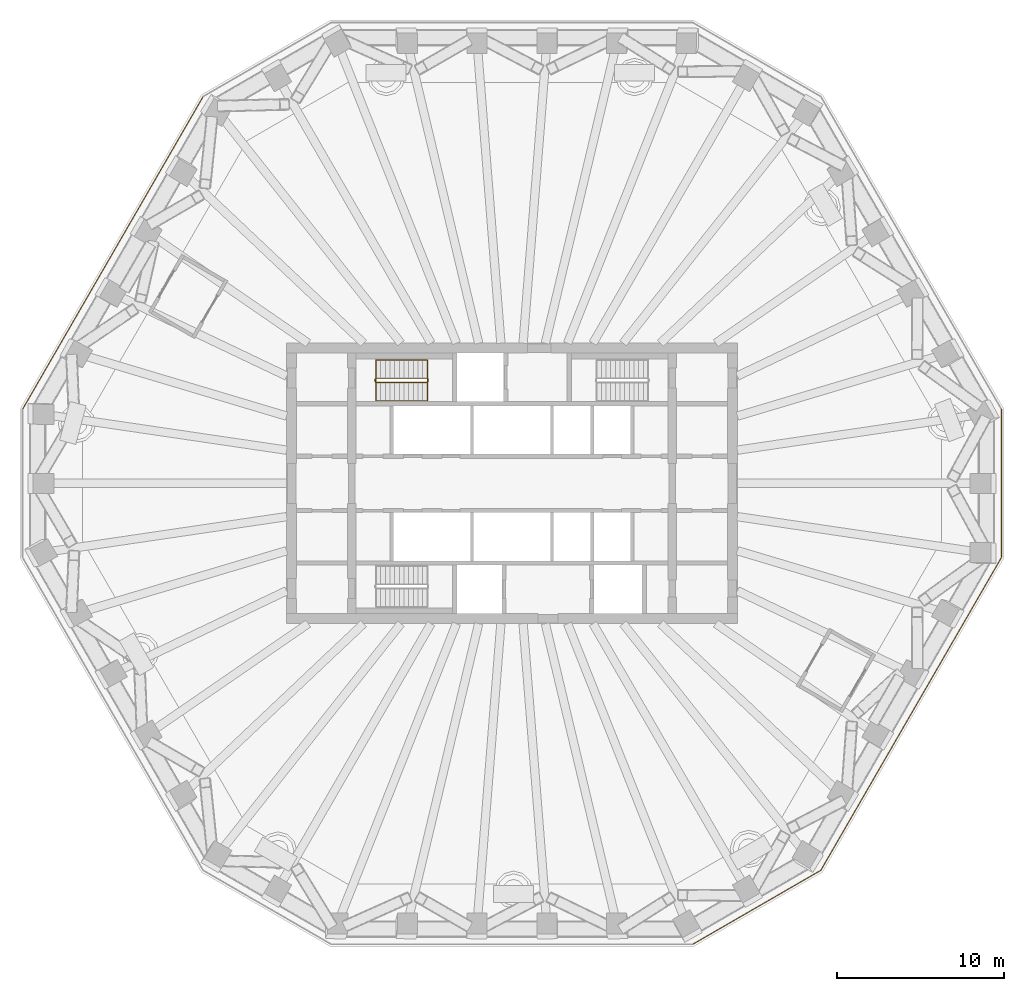
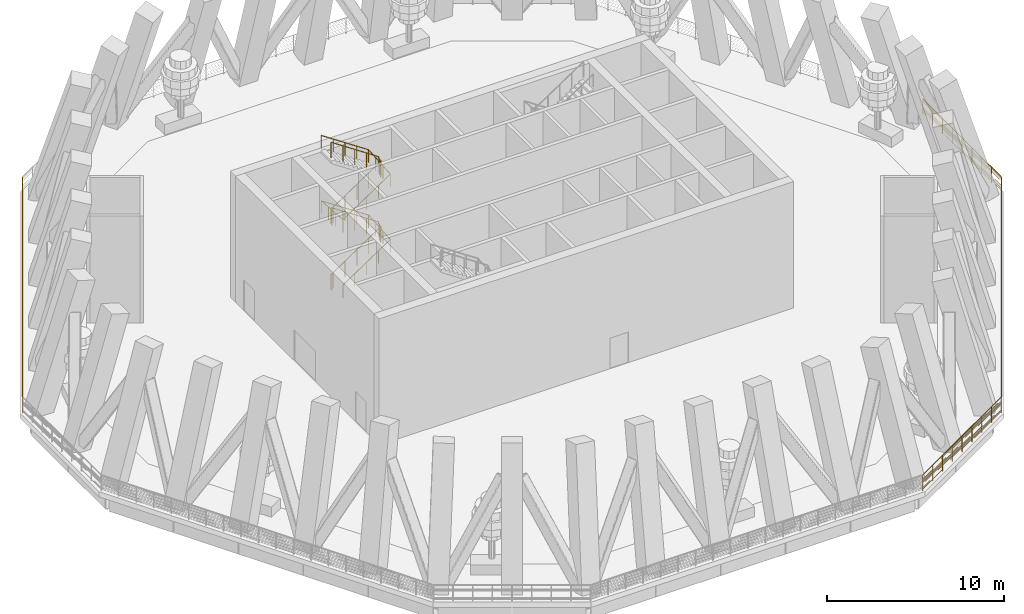
# One storey, part 8 of 11: 6 railings.
"""IFC4 building model written with IfcOpenShell, lengths in metres."""

from ifc_helpers import new_model, si_unit, direction, frame, origin, origin_2d, place, context, subcontext, project, spatial, circle, extrude, material, type_object, element, save


model = new_model("IFC4")

# Units and contexts
model_context = context("Model", 3, precision=1e-05, world=origin(), true_north=direction((0.0, 1.0)))
body_context = subcontext(model_context, "Body", "Model", "MODEL_VIEW")
ifc_project = project(units=[si_unit("LENGTHUNIT", "METRE"), si_unit("AREAUNIT", "SQUARE_METRE"), si_unit("VOLUMEUNIT", "CUBIC_METRE"), si_unit("PLANEANGLEUNIT", "RADIAN"), si_unit("MASSUNIT", "GRAM", prefix="KILO")], contexts=[model_context])

# Site, building, storey
site_placement = place(None, origin())
site = spatial("IfcSite", under=ifc_project, at=site_placement, CompositionType="ELEMENT")
building_placement = place(site_placement, origin())
building = spatial("IfcBuilding", under=site, at=building_placement, Name="Frailejon Research Tower", CompositionType="ELEMENT")
storey_placement = place(building_placement, frame((0.0, 0.0, 202.39990234375)))
storey = spatial("IfcBuildingStorey", under=building, at=storey_placement, Name="L44", CompositionType="ELEMENT", Elevation=202.39990234375)

# Railings
ifc_material_1 = material(Name="Stainless steel", Category="steel")
railing_type_1 = type_object("IfcRailingType", Name="Stair guard 1100", PredefinedType="GUARDRAIL", material=ifc_material_1)
railing_1_placement = place(storey_placement, frame((-8.199951171875, 6.25, 0.0)))
element("IfcRailing", 1, at=railing_1_placement, inside=storey, type_object=railing_type_1, Name="L44 ST1 stair guard 1", PredefinedType="GUARDRAIL", context=body_context, shape_type="SweptSolid", body=[
    extrude(circle(Radius=0.02392578125, at=origin_2d()), frame((0.0, 0.0, 1.076171875), z_axis=(0.0, -1.0, 0.0), x_axis=(1.0, 0.0, 0.0)), (0.0, 0.0, 1.0), 0.14990234375),
    extrude(circle(Radius=0.02392578125, at=origin_2d()), frame((0.0, -0.14990234375, 1.076171875), z_axis=(0.249726431254, -0.249726431254, 0.935560483917), x_axis=(0.707106781187, 0.707106781187, 0.0)), (0.0, 0.0, 1.0), 0.200439453125),
    extrude(circle(Radius=0.02392578125, at=origin_2d()), frame((0.050048828125, -0.199951171875, 1.263671875), z_axis=(0.830893310487, 0.0, 0.556431762742), x_axis=(0.0, 1.0, 0.0)), (0.0, 0.0, 1.0), 3.70654296875),
    extrude(circle(Radius=0.02392578125, at=origin_2d()), frame((3.1298828125, -0.199951171875, 3.326171875), z_axis=(0.707106781187, 0.707106781187, 0.0), x_axis=(-0.707106781187, 0.707106781187, 0.0)), (0.0, 0.0, 1.0), 0.07080078125),
    extrude(circle(Radius=0.02392578125, at=origin_2d()), frame((3.179931640625, -0.14990234375, 3.326171875), z_axis=(0.0, 1.0, 0.0), x_axis=(-1.0, 0.0, 0.0)), (0.0, 0.0, 1.0), 0.14990234375),
    extrude(circle(Radius=0.02392578125, at=origin_2d()), frame((3.179931640625, 0.0, 3.326171875), z_axis=(-0.249726431254, 0.249726431254, 0.935560483917), x_axis=(-0.707106781187, -0.707106781187, 0.0)), (0.0, 0.0, 1.0), 0.200439453125),
    extrude(circle(Radius=0.02392578125, at=origin_2d()), frame((3.1298828125, 0.050048828125, 3.513671875), z_axis=(-0.830893310487, 0.0, 0.556431762742), x_axis=(0.0, -1.0, 0.0)), (0.0, 0.0, 1.0), 3.70654296875),
    extrude(circle(Radius=0.02392578125, at=origin_2d()), frame((0.050048828125, 0.050048828125, 5.576171875), z_axis=(-0.707106781187, -0.707106781187, 0.0), x_axis=(0.707106781187, -0.707106781187, 0.0)), (0.0, 0.0, 1.0), 0.07080078125),
    extrude(circle(Radius=0.02392578125, at=origin_2d()), frame((0.0, 0.0, 5.576171875), z_axis=(0.0, -1.0, 0.0), x_axis=(1.0, 0.0, 0.0)), (0.0, 0.0, 1.0), 0.14990234375),
    extrude(circle(Radius=0.02392578125, at=origin_2d()), frame((0.0, -0.14990234375, 5.576171875), z_axis=(0.249726431254, -0.249726431254, 0.935560483917), x_axis=(0.707106781187, 0.707106781187, 0.0)), (0.0, 0.0, 1.0), 0.200439453125),
    extrude(circle(Radius=0.02392578125, at=origin_2d()), frame((0.050048828125, -0.199951171875, 5.763671875), z_axis=(0.830893310487, 0.0, 0.556431762742), x_axis=(0.0, 1.0, 0.0)), (0.0, 0.0, 1.0), 3.70654296875),
    extrude(circle(Radius=0.02392578125, at=origin_2d()), frame((3.1298828125, -0.199951171875, 7.826171875), z_axis=(0.707106781187, 0.707106781187, 0.0), x_axis=(-0.707106781187, 0.707106781187, 0.0)), (0.0, 0.0, 1.0), 0.07080078125),
    extrude(circle(Radius=0.02392578125, at=origin_2d()), frame((3.179931640625, -0.14990234375, 7.826171875), z_axis=(0.0, 1.0, 0.0), x_axis=(-1.0, 0.0, 0.0)), (0.0, 0.0, 1.0), 0.14990234375),
    extrude(circle(Radius=0.02392578125, at=origin_2d()), frame((3.179931640625, 0.0, 7.826171875), z_axis=(-0.249726431254, 0.249726431254, 0.935560483917), x_axis=(-0.707106781187, -0.707106781187, 0.0)), (0.0, 0.0, 1.0), 0.200439453125),
    extrude(circle(Radius=0.02392578125, at=origin_2d()), frame((3.1298828125, 0.050048828125, 8.013671875), z_axis=(-0.830893310487, 0.0, 0.556431762742), x_axis=(0.0, -1.0, 0.0)), (0.0, 0.0, 1.0), 3.70654296875),
    extrude(circle(Radius=0.02099609375, at=origin_2d()), origin(), (0.0, 0.0, 1.0), 1.052001953125),
    extrude(circle(Radius=0.02099609375, at=origin_2d()), frame((0.0, -0.14990234375, 0.0)), (0.0, 0.0, 1.0), 1.052001953125),
    extrude(circle(Radius=0.02099609375, at=origin_2d()), frame((0.050048828125, -0.199951171875, 0.1875)), (0.0, 0.0, 1.0), 1.052001953125),
    extrude(circle(Radius=0.02099609375, at=origin_2d()), frame((0.820068359375, -0.199951171875, 0.703125)), (0.0, 0.0, 1.0), 1.052001953125),
    extrude(circle(Radius=0.02099609375, at=origin_2d()), frame((1.58984375, -0.199951171875, 1.21875)), (0.0, 0.0, 1.0), 1.052001953125),
    extrude(circle(Radius=0.02099609375, at=origin_2d()), frame((2.35986328125, -0.199951171875, 1.734375)), (0.0, 0.0, 1.0), 1.052001953125),
    extrude(circle(Radius=0.02099609375, at=origin_2d()), frame((3.1298828125, -0.199951171875, 2.25)), (0.0, 0.0, 1.0), 1.052001953125),
    extrude(circle(Radius=0.02099609375, at=origin_2d()), frame((3.179931640625, -0.14990234375, 2.25)), (0.0, 0.0, 1.0), 1.052001953125),
    extrude(circle(Radius=0.02099609375, at=origin_2d()), frame((3.179931640625, 0.0, 2.25)), (0.0, 0.0, 1.0), 1.052001953125),
    extrude(circle(Radius=0.02099609375, at=origin_2d()), frame((3.1298828125, 0.050048828125, 2.4375)), (0.0, 0.0, 1.0), 1.052001953125),
    extrude(circle(Radius=0.02099609375, at=origin_2d()), frame((2.35986328125, 0.050048828125, 2.953125)), (0.0, 0.0, 1.0), 1.052001953125),
    extrude(circle(Radius=0.02099609375, at=origin_2d()), frame((1.58984375, 0.050048828125, 3.46875)), (0.0, 0.0, 1.0), 1.052001953125),
    extrude(circle(Radius=0.02099609375, at=origin_2d()), frame((0.820068359375, 0.050048828125, 3.984375)), (0.0, 0.0, 1.0), 1.052001953125),
    extrude(circle(Radius=0.02099609375, at=origin_2d()), frame((0.050048828125, 0.050048828125, 4.5)), (0.0, 0.0, 1.0), 1.052001953125),
    extrude(circle(Radius=0.02099609375, at=origin_2d()), frame((0.0, 0.0, 4.5)), (0.0, 0.0, 1.0), 1.052001953125),
    extrude(circle(Radius=0.02099609375, at=origin_2d()), frame((0.0, -0.14990234375, 4.5)), (0.0, 0.0, 1.0), 1.052001953125),
    extrude(circle(Radius=0.02099609375, at=origin_2d()), frame((0.050048828125, -0.199951171875, 4.6875)), (0.0, 0.0, 1.0), 1.052001953125),
    extrude(circle(Radius=0.02099609375, at=origin_2d()), frame((0.820068359375, -0.199951171875, 5.203125)), (0.0, 0.0, 1.0), 1.052001953125),
    extrude(circle(Radius=0.02099609375, at=origin_2d()), frame((1.58984375, -0.199951171875, 5.71875)), (0.0, 0.0, 1.0), 1.052001953125),
    extrude(circle(Radius=0.02099609375, at=origin_2d()), frame((2.35986328125, -0.199951171875, 6.234375)), (0.0, 0.0, 1.0), 1.052001953125),
    extrude(circle(Radius=0.02099609375, at=origin_2d()), frame((3.1298828125, -0.199951171875, 6.75)), (0.0, 0.0, 1.0), 1.052001953125),
    extrude(circle(Radius=0.02099609375, at=origin_2d()), frame((3.179931640625, -0.14990234375, 6.75)), (0.0, 0.0, 1.0), 1.052001953125),
    extrude(circle(Radius=0.02099609375, at=origin_2d()), frame((3.179931640625, 0.0, 6.75)), (0.0, 0.0, 1.0), 1.052001953125),
    extrude(circle(Radius=0.02099609375, at=origin_2d()), frame((3.1298828125, 0.050048828125, 6.9375)), (0.0, 0.0, 1.0), 1.052001953125),
    extrude(circle(Radius=0.02099609375, at=origin_2d()), frame((2.35986328125, 0.050048828125, 7.453125)), (0.0, 0.0, 1.0), 1.052001953125),
    extrude(circle(Radius=0.02099609375, at=origin_2d()), frame((1.58984375, 0.050048828125, 7.96875)), (0.0, 0.0, 1.0), 1.052001953125),
    extrude(circle(Radius=0.02099609375, at=origin_2d()), frame((0.820068359375, 0.050048828125, 8.484375)), (0.0, 0.0, 1.0), 1.052001953125),
    extrude(circle(Radius=0.02099609375, at=origin_2d()), frame((0.050048828125, 0.050048828125, 9.0)), (0.0, 0.0, 1.0), 1.052001953125),
])
ifc_material_2 = material(Name="Stainless steel", Category="steel")
railing_type_2 = type_object("IfcRailingType", Name="Stair handrail 900", PredefinedType="HANDRAIL", material=ifc_material_2)
railing_2_placement = place(storey_placement, frame((-8.14990234375, 4.949951171875, 0.1875)))
element("IfcRailing", 2, at=railing_2_placement, inside=storey, type_object=railing_type_2, Name="L44 ST1 stair handrail 1", PredefinedType="HANDRAIL", context=body_context, shape_type="SweptSolid", body=[
    extrude(circle(Radius=0.02392578125, at=origin_2d()), frame((0.0, 0.0, 0.8759765625), z_axis=(0.830893310487, 0.0, 0.556431762742), x_axis=(0.0, 1.0, 0.0)), (0.0, 0.0, 1.0), 3.70654296875),
    extrude(circle(Radius=0.02392578125, at=origin_2d()), frame((3.079833984375, 0.0, 2.9384765625), z_axis=(0.0, 0.997084218397, 0.07630898652), x_axis=(-1.0, 0.0, 0.0)), (0.0, 0.0, 1.0), 2.45703125),
    extrude(circle(Radius=0.02392578125, at=origin_2d()), frame((3.079833984375, 2.449951171875, 3.1259765625), z_axis=(-0.830893310487, 0.0, 0.556431762742), x_axis=(0.0, -1.0, 0.0)), (0.0, 0.0, 1.0), 3.70654296875),
    extrude(circle(Radius=0.02392578125, at=origin_2d()), frame((0.0, 2.449951171875, 5.1884765625), z_axis=(0.0, -0.997084218397, 0.07630898652), x_axis=(1.0, 0.0, 0.0)), (0.0, 0.0, 1.0), 2.45703125),
    extrude(circle(Radius=0.02392578125, at=origin_2d()), frame((0.0, 0.0, 5.3759765625), z_axis=(0.830893310487, 0.0, 0.556431762742), x_axis=(0.0, 1.0, 0.0)), (0.0, 0.0, 1.0), 3.70654296875),
    extrude(circle(Radius=0.02392578125, at=origin_2d()), frame((3.079833984375, 0.0, 7.4384765625), z_axis=(0.0, 0.997084218397, 0.07630898652), x_axis=(-1.0, 0.0, 0.0)), (0.0, 0.0, 1.0), 2.45703125),
    extrude(circle(Radius=0.02392578125, at=origin_2d()), frame((3.079833984375, 2.449951171875, 7.6259765625), z_axis=(-0.830893310487, 0.0, 0.556431762742), x_axis=(0.0, -1.0, 0.0)), (0.0, 0.0, 1.0), 3.70654296875),
    extrude(circle(Radius=0.02099609375, at=origin_2d()), origin(), (0.0, 0.0, 1.0), 0.851806640625),
    extrude(circle(Radius=0.02099609375, at=origin_2d()), frame((0.77001953125, 0.0, 0.515625)), (0.0, 0.0, 1.0), 0.851806640625),
    extrude(circle(Radius=0.02099609375, at=origin_2d()), frame((1.5400390625, 0.0, 1.03125)), (0.0, 0.0, 1.0), 0.851806640625),
    extrude(circle(Radius=0.02099609375, at=origin_2d()), frame((2.309814453125, 0.0, 1.546875)), (0.0, 0.0, 1.0), 0.851806640625),
    extrude(circle(Radius=0.02099609375, at=origin_2d()), frame((3.079833984375, 0.0, 2.0625)), (0.0, 0.0, 1.0), 0.851806640625),
    extrude(circle(Radius=0.02099609375, at=origin_2d()), frame((3.079833984375, 0.816650390625, 2.125)), (0.0, 0.0, 1.0), 0.851806640625),
    extrude(circle(Radius=0.02099609375, at=origin_2d()), frame((3.079833984375, 1.63330078125, 2.1875)), (0.0, 0.0, 1.0), 0.851806640625),
    extrude(circle(Radius=0.02099609375, at=origin_2d()), frame((3.079833984375, 2.449951171875, 2.25)), (0.0, 0.0, 1.0), 0.851806640625),
    extrude(circle(Radius=0.02099609375, at=origin_2d()), frame((2.309814453125, 2.449951171875, 2.765625)), (0.0, 0.0, 1.0), 0.851806640625),
    extrude(circle(Radius=0.02099609375, at=origin_2d()), frame((1.5400390625, 2.449951171875, 3.28125)), (0.0, 0.0, 1.0), 0.851806640625),
    extrude(circle(Radius=0.02099609375, at=origin_2d()), frame((0.77001953125, 2.449951171875, 3.796875)), (0.0, 0.0, 1.0), 0.851806640625),
    extrude(circle(Radius=0.02099609375, at=origin_2d()), frame((0.0, 2.449951171875, 4.3125)), (0.0, 0.0, 1.0), 0.851806640625),
    extrude(circle(Radius=0.02099609375, at=origin_2d()), frame((0.0, 1.63330078125, 4.375)), (0.0, 0.0, 1.0), 0.851806640625),
    extrude(circle(Radius=0.02099609375, at=origin_2d()), frame((0.0, 0.816650390625, 4.4375)), (0.0, 0.0, 1.0), 0.851806640625),
    extrude(circle(Radius=0.02099609375, at=origin_2d()), frame((0.0, 0.0, 4.5)), (0.0, 0.0, 1.0), 0.851806640625),
    extrude(circle(Radius=0.02099609375, at=origin_2d()), frame((0.77001953125, 0.0, 5.015625)), (0.0, 0.0, 1.0), 0.851806640625),
    extrude(circle(Radius=0.02099609375, at=origin_2d()), frame((1.5400390625, 0.0, 5.53125)), (0.0, 0.0, 1.0), 0.851806640625),
    extrude(circle(Radius=0.02099609375, at=origin_2d()), frame((2.309814453125, 0.0, 6.046875)), (0.0, 0.0, 1.0), 0.851806640625),
    extrude(circle(Radius=0.02099609375, at=origin_2d()), frame((3.079833984375, 0.0, 6.5625)), (0.0, 0.0, 1.0), 0.851806640625),
    extrude(circle(Radius=0.02099609375, at=origin_2d()), frame((3.079833984375, 0.816650390625, 6.625)), (0.0, 0.0, 1.0), 0.851806640625),
    extrude(circle(Radius=0.02099609375, at=origin_2d()), frame((3.079833984375, 1.63330078125, 6.6875)), (0.0, 0.0, 1.0), 0.851806640625),
    extrude(circle(Radius=0.02099609375, at=origin_2d()), frame((3.079833984375, 2.449951171875, 6.75)), (0.0, 0.0, 1.0), 0.851806640625),
    extrude(circle(Radius=0.02099609375, at=origin_2d()), frame((2.309814453125, 2.449951171875, 7.265625)), (0.0, 0.0, 1.0), 0.851806640625),
    extrude(circle(Radius=0.02099609375, at=origin_2d()), frame((1.5400390625, 2.449951171875, 7.78125)), (0.0, 0.0, 1.0), 0.851806640625),
    extrude(circle(Radius=0.02099609375, at=origin_2d()), frame((0.77001953125, 2.449951171875, 8.296875)), (0.0, 0.0, 1.0), 0.851806640625),
    extrude(circle(Radius=0.02099609375, at=origin_2d()), frame((0.0, 2.449951171875, 8.8125)), (0.0, 0.0, 1.0), 0.851806640625),
])
ifc_material_3 = material(Name="Stainless steel posts, rail and cable infill", Category="steel")
railing_type_3 = type_object("IfcRailingType", Name="Terrace rail guard 1100", PredefinedType="GUARDRAIL", material=ifc_material_3)
railing_3_placement = place(storey_placement, frame((29.321533203125, -4.430908203125, 0.0)))
element("IfcRailing", 3, at=railing_3_placement, inside=storey, type_object=railing_type_3, Name="Wind floor terrace guard L44 1", PredefinedType="GUARDRAIL", context=body_context, shape_type="SweptSolid", body=[
    extrude(circle(Radius=0.02392578125, at=origin_2d()), frame((0.0, 0.0, 1.080078125), z_axis=(0.0, 1.0, 0.0), x_axis=(-1.0, 0.0, 0.0)), (0.0, 0.0, 1.0), 8.86181640625),
    extrude(circle(Radius=0.005859375, at=origin_2d()), frame((0.0, 0.0, 0.097900390625), z_axis=(0.0, 1.0, 0.0), x_axis=(-1.0, 0.0, 0.0)), (0.0, 0.0, 1.0), 8.86181640625),
    extrude(circle(Radius=0.005859375, at=origin_2d()), frame((0.0, 0.0, 0.195556640625), z_axis=(0.0, 1.0, 0.0), x_axis=(-1.0, 0.0, 0.0)), (0.0, 0.0, 1.0), 8.86181640625),
    extrude(circle(Radius=0.005859375, at=origin_2d()), frame((0.0, 0.0, 0.29345703125), z_axis=(0.0, 1.0, 0.0), x_axis=(-1.0, 0.0, 0.0)), (0.0, 0.0, 1.0), 8.86181640625),
    extrude(circle(Radius=0.005859375, at=origin_2d()), frame((0.0, 0.0, 0.391357421875), z_axis=(0.0, 1.0, 0.0), x_axis=(-1.0, 0.0, 0.0)), (0.0, 0.0, 1.0), 8.86181640625),
    extrude(circle(Radius=0.005859375, at=origin_2d()), frame((0.0, 0.0, 0.489013671875), z_axis=(0.0, 1.0, 0.0), x_axis=(-1.0, 0.0, 0.0)), (0.0, 0.0, 1.0), 8.86181640625),
    extrude(circle(Radius=0.005859375, at=origin_2d()), frame((0.0, 0.0, 0.5869140625), z_axis=(0.0, 1.0, 0.0), x_axis=(-1.0, 0.0, 0.0)), (0.0, 0.0, 1.0), 8.86181640625),
    extrude(circle(Radius=0.005859375, at=origin_2d()), frame((0.0, 0.0, 0.684814453125), z_axis=(0.0, 1.0, 0.0), x_axis=(-1.0, 0.0, 0.0)), (0.0, 0.0, 1.0), 8.86181640625),
    extrude(circle(Radius=0.005859375, at=origin_2d()), frame((0.0, 0.0, 0.782470703125), z_axis=(0.0, 1.0, 0.0), x_axis=(-1.0, 0.0, 0.0)), (0.0, 0.0, 1.0), 8.86181640625),
    extrude(circle(Radius=0.005859375, at=origin_2d()), frame((0.0, 0.0, 0.88037109375), z_axis=(0.0, 1.0, 0.0), x_axis=(-1.0, 0.0, 0.0)), (0.0, 0.0, 1.0), 8.86181640625),
    extrude(circle(Radius=0.005859375, at=origin_2d()), frame((0.0, 0.0, 0.978271484375), z_axis=(0.0, 1.0, 0.0), x_axis=(-1.0, 0.0, 0.0)), (0.0, 0.0, 1.0), 8.86181640625),
    extrude(circle(Radius=0.02099609375, at=origin_2d()), origin(), (0.0, 0.0, 1.0), 1.052001953125),
    extrude(circle(Radius=0.02099609375, at=origin_2d()), frame((0.0, 1.107666015625, 0.0)), (0.0, 0.0, 1.0), 1.052001953125),
    extrude(circle(Radius=0.02099609375, at=origin_2d()), frame((0.0, 2.21533203125, 0.0)), (0.0, 0.0, 1.0), 1.052001953125),
    extrude(circle(Radius=0.02099609375, at=origin_2d()), frame((0.0, 3.3232421875, 0.0)), (0.0, 0.0, 1.0), 1.052001953125),
    extrude(circle(Radius=0.02099609375, at=origin_2d()), frame((0.0, 4.430908203125, 0.0)), (0.0, 0.0, 1.0), 1.052001953125),
    extrude(circle(Radius=0.02099609375, at=origin_2d()), frame((0.0, 5.53857421875, 0.0)), (0.0, 0.0, 1.0), 1.052001953125),
    extrude(circle(Radius=0.02099609375, at=origin_2d()), frame((0.0, 6.646484375, 0.0)), (0.0, 0.0, 1.0), 1.052001953125),
    extrude(circle(Radius=0.02099609375, at=origin_2d()), frame((0.0, 7.754150390625, 0.0)), (0.0, 0.0, 1.0), 1.052001953125),
    extrude(circle(Radius=0.02099609375, at=origin_2d()), frame((0.0, 8.86181640625, 0.0)), (0.0, 0.0, 1.0), 1.052001953125),
])
railing_4_placement = place(storey_placement, frame((-18.498046875, 23.177490234375, 0.0)))
element("IfcRailing", 4, at=railing_4_placement, inside=storey, type_object=railing_type_3, Name="Wind floor terrace guard L44 6", PredefinedType="GUARDRAIL", context=body_context, shape_type="SweptSolid", body=[
    extrude(circle(Radius=0.02392578125, at=origin_2d()), frame((0.0, 0.0, 1.080078125), z_axis=(-0.500004924955, -0.866022560341, 0.0), x_axis=(0.866022560341, -0.500004924955, 0.0)), (0.0, 0.0, 1.0), 21.646728515625),
    extrude(circle(Radius=0.005859375, at=origin_2d()), frame((0.0, 0.0, 0.097900390625), z_axis=(-0.500004924955, -0.866022560341, 0.0), x_axis=(0.866022560341, -0.500004924955, 0.0)), (0.0, 0.0, 1.0), 21.646728515625),
    extrude(circle(Radius=0.005859375, at=origin_2d()), frame((0.0, 0.0, 0.195556640625), z_axis=(-0.500004924955, -0.866022560341, 0.0), x_axis=(0.866022560341, -0.500004924955, 0.0)), (0.0, 0.0, 1.0), 21.646728515625),
    extrude(circle(Radius=0.005859375, at=origin_2d()), frame((0.0, 0.0, 0.29345703125), z_axis=(-0.500004924955, -0.866022560341, 0.0), x_axis=(0.866022560341, -0.500004924955, 0.0)), (0.0, 0.0, 1.0), 21.646728515625),
    extrude(circle(Radius=0.005859375, at=origin_2d()), frame((0.0, 0.0, 0.391357421875), z_axis=(-0.500004924955, -0.866022560341, 0.0), x_axis=(0.866022560341, -0.500004924955, 0.0)), (0.0, 0.0, 1.0), 21.646728515625),
    extrude(circle(Radius=0.005859375, at=origin_2d()), frame((0.0, 0.0, 0.489013671875), z_axis=(-0.500004924955, -0.866022560341, 0.0), x_axis=(0.866022560341, -0.500004924955, 0.0)), (0.0, 0.0, 1.0), 21.646728515625),
    extrude(circle(Radius=0.005859375, at=origin_2d()), frame((0.0, 0.0, 0.5869140625), z_axis=(-0.500004924955, -0.866022560341, 0.0), x_axis=(0.866022560341, -0.500004924955, 0.0)), (0.0, 0.0, 1.0), 21.646728515625),
    extrude(circle(Radius=0.005859375, at=origin_2d()), frame((0.0, 0.0, 0.684814453125), z_axis=(-0.500004924955, -0.866022560341, 0.0), x_axis=(0.866022560341, -0.500004924955, 0.0)), (0.0, 0.0, 1.0), 21.646728515625),
    extrude(circle(Radius=0.005859375, at=origin_2d()), frame((0.0, 0.0, 0.782470703125), z_axis=(-0.500004924955, -0.866022560341, 0.0), x_axis=(0.866022560341, -0.500004924955, 0.0)), (0.0, 0.0, 1.0), 21.646728515625),
    extrude(circle(Radius=0.005859375, at=origin_2d()), frame((0.0, 0.0, 0.88037109375), z_axis=(-0.500004924955, -0.866022560341, 0.0), x_axis=(0.866022560341, -0.500004924955, 0.0)), (0.0, 0.0, 1.0), 21.646728515625),
    extrude(circle(Radius=0.005859375, at=origin_2d()), frame((0.0, 0.0, 0.978271484375), z_axis=(-0.500004924955, -0.866022560341, 0.0), x_axis=(0.866022560341, -0.500004924955, 0.0)), (0.0, 0.0, 1.0), 21.646728515625),
    extrude(circle(Radius=0.02099609375, at=origin_2d()), origin(), (0.0, 0.0, 1.0), 1.052001953125),
    extrude(circle(Radius=0.02099609375, at=origin_2d()), frame((-0.569580078125, -0.986572265625, 0.0)), (0.0, 0.0, 1.0), 1.052001953125),
    extrude(circle(Radius=0.02099609375, at=origin_2d()), frame((-1.139404296875, -1.973388671875, 0.0)), (0.0, 0.0, 1.0), 1.052001953125),
    extrude(circle(Radius=0.02099609375, at=origin_2d()), frame((-1.708984375, -2.9599609375, 0.0)), (0.0, 0.0, 1.0), 1.052001953125),
    extrude(circle(Radius=0.02099609375, at=origin_2d()), frame((-2.278564453125, -3.946533203125, 0.0)), (0.0, 0.0, 1.0), 1.052001953125),
    extrude(circle(Radius=0.02099609375, at=origin_2d()), frame((-2.848388671875, -4.933349609375, 0.0)), (0.0, 0.0, 1.0), 1.052001953125),
    extrude(circle(Radius=0.02099609375, at=origin_2d()), frame((-3.41796875, -5.919921875, 0.0)), (0.0, 0.0, 1.0), 1.052001953125),
    extrude(circle(Radius=0.02099609375, at=origin_2d()), frame((-3.987548828125, -6.90673828125, 0.0)), (0.0, 0.0, 1.0), 1.052001953125),
    extrude(circle(Radius=0.02099609375, at=origin_2d()), frame((-4.557373046875, -7.893310546875, 0.0)), (0.0, 0.0, 1.0), 1.052001953125),
    extrude(circle(Radius=0.02099609375, at=origin_2d()), frame((-5.126953125, -8.8798828125, 0.0)), (0.0, 0.0, 1.0), 1.052001953125),
    extrude(circle(Radius=0.02099609375, at=origin_2d()), frame((-5.696533203125, -9.86669921875, 0.0)), (0.0, 0.0, 1.0), 1.052001953125),
    extrude(circle(Radius=0.02099609375, at=origin_2d()), frame((-6.26611328125, -10.853271484375, 0.0)), (0.0, 0.0, 1.0), 1.052001953125),
    extrude(circle(Radius=0.02099609375, at=origin_2d()), frame((-6.8359375, -11.83984375, 0.0)), (0.0, 0.0, 1.0), 1.052001953125),
    extrude(circle(Radius=0.02099609375, at=origin_2d()), frame((-7.405517578125, -12.82666015625, 0.0)), (0.0, 0.0, 1.0), 1.052001953125),
    extrude(circle(Radius=0.02099609375, at=origin_2d()), frame((-7.97509765625, -13.813232421875, 0.0)), (0.0, 0.0, 1.0), 1.052001953125),
    extrude(circle(Radius=0.02099609375, at=origin_2d()), frame((-8.544921875, -14.800048828125, 0.0)), (0.0, 0.0, 1.0), 1.052001953125),
    extrude(circle(Radius=0.02099609375, at=origin_2d()), frame((-9.114501953125, -15.78662109375, 0.0)), (0.0, 0.0, 1.0), 1.052001953125),
    extrude(circle(Radius=0.02099609375, at=origin_2d()), frame((-9.68408203125, -16.773193359375, 0.0)), (0.0, 0.0, 1.0), 1.052001953125),
    extrude(circle(Radius=0.02099609375, at=origin_2d()), frame((-10.25390625, -17.760009765625, 0.0)), (0.0, 0.0, 1.0), 1.052001953125),
    extrude(circle(Radius=0.02099609375, at=origin_2d()), frame((-10.823486328125, -18.74658203125, 0.0)), (0.0, 0.0, 1.0), 1.052001953125),
])
railing_5_placement = place(storey_placement, frame((10.8232421875, -27.608642578125, 0.0)))
element("IfcRailing", 5, at=railing_5_placement, inside=storey, type_object=railing_type_3, Name="Wind floor terrace guard L44 11", PredefinedType="GUARDRAIL", context=body_context, shape_type="SweptSolid", body=[
    extrude(circle(Radius=0.02392578125, at=origin_2d()), frame((0.0, 0.0, 1.080078125), z_axis=(0.86602043012, 0.50000861454, 0.0), x_axis=(-0.50000861454, 0.86602043012, 0.0)), (0.0, 0.0, 1.0), 8.862060546875),
    extrude(circle(Radius=0.005859375, at=origin_2d()), frame((0.0, 0.0, 0.097900390625), z_axis=(0.86602043012, 0.50000861454, 0.0), x_axis=(-0.50000861454, 0.86602043012, 0.0)), (0.0, 0.0, 1.0), 8.862060546875),
    extrude(circle(Radius=0.005859375, at=origin_2d()), frame((0.0, 0.0, 0.195556640625), z_axis=(0.86602043012, 0.50000861454, 0.0), x_axis=(-0.50000861454, 0.86602043012, 0.0)), (0.0, 0.0, 1.0), 8.862060546875),
    extrude(circle(Radius=0.005859375, at=origin_2d()), frame((0.0, 0.0, 0.29345703125), z_axis=(0.86602043012, 0.50000861454, 0.0), x_axis=(-0.50000861454, 0.86602043012, 0.0)), (0.0, 0.0, 1.0), 8.862060546875),
    extrude(circle(Radius=0.005859375, at=origin_2d()), frame((0.0, 0.0, 0.391357421875), z_axis=(0.86602043012, 0.50000861454, 0.0), x_axis=(-0.50000861454, 0.86602043012, 0.0)), (0.0, 0.0, 1.0), 8.862060546875),
    extrude(circle(Radius=0.005859375, at=origin_2d()), frame((0.0, 0.0, 0.489013671875), z_axis=(0.86602043012, 0.50000861454, 0.0), x_axis=(-0.50000861454, 0.86602043012, 0.0)), (0.0, 0.0, 1.0), 8.862060546875),
    extrude(circle(Radius=0.005859375, at=origin_2d()), frame((0.0, 0.0, 0.5869140625), z_axis=(0.86602043012, 0.50000861454, 0.0), x_axis=(-0.50000861454, 0.86602043012, 0.0)), (0.0, 0.0, 1.0), 8.862060546875),
    extrude(circle(Radius=0.005859375, at=origin_2d()), frame((0.0, 0.0, 0.684814453125), z_axis=(0.86602043012, 0.50000861454, 0.0), x_axis=(-0.50000861454, 0.86602043012, 0.0)), (0.0, 0.0, 1.0), 8.862060546875),
    extrude(circle(Radius=0.005859375, at=origin_2d()), frame((0.0, 0.0, 0.782470703125), z_axis=(0.86602043012, 0.50000861454, 0.0), x_axis=(-0.50000861454, 0.86602043012, 0.0)), (0.0, 0.0, 1.0), 8.862060546875),
    extrude(circle(Radius=0.005859375, at=origin_2d()), frame((0.0, 0.0, 0.88037109375), z_axis=(0.86602043012, 0.50000861454, 0.0), x_axis=(-0.50000861454, 0.86602043012, 0.0)), (0.0, 0.0, 1.0), 8.862060546875),
    extrude(circle(Radius=0.005859375, at=origin_2d()), frame((0.0, 0.0, 0.978271484375), z_axis=(0.86602043012, 0.50000861454, 0.0), x_axis=(-0.50000861454, 0.86602043012, 0.0)), (0.0, 0.0, 1.0), 8.862060546875),
    extrude(circle(Radius=0.02099609375, at=origin_2d()), origin(), (0.0, 0.0, 1.0), 1.052001953125),
    extrude(circle(Radius=0.02099609375, at=origin_2d()), frame((0.95947265625, 0.553955078125, 0.0)), (0.0, 0.0, 1.0), 1.052001953125),
    extrude(circle(Radius=0.02099609375, at=origin_2d()), frame((1.918701171875, 1.10791015625, 0.0)), (0.0, 0.0, 1.0), 1.052001953125),
    extrude(circle(Radius=0.02099609375, at=origin_2d()), frame((2.8779296875, 1.66162109375, 0.0)), (0.0, 0.0, 1.0), 1.052001953125),
    extrude(circle(Radius=0.02099609375, at=origin_2d()), frame((3.83740234375, 2.215576171875, 0.0)), (0.0, 0.0, 1.0), 1.052001953125),
    extrude(circle(Radius=0.02099609375, at=origin_2d()), frame((4.796875, 2.76953125, 0.0)), (0.0, 0.0, 1.0), 1.052001953125),
    extrude(circle(Radius=0.02099609375, at=origin_2d()), frame((5.756103515625, 3.3232421875, 0.0)), (0.0, 0.0, 1.0), 1.052001953125),
    extrude(circle(Radius=0.02099609375, at=origin_2d()), frame((6.71533203125, 3.877197265625, 0.0)), (0.0, 0.0, 1.0), 1.052001953125),
    extrude(circle(Radius=0.02099609375, at=origin_2d()), frame((7.6748046875, 4.43115234375, 0.0)), (0.0, 0.0, 1.0), 1.052001953125),
])
railing_6_placement = place(storey_placement, frame((18.498046875, -23.177490234375, 0.0)))
element("IfcRailing", 6, at=railing_6_placement, inside=storey, type_object=railing_type_3, Name="Wind floor terrace guard L44 12", PredefinedType="GUARDRAIL", context=body_context, shape_type="SweptSolid", body=[
    extrude(circle(Radius=0.02392578125, at=origin_2d()), frame((0.0, 0.0, 1.080078125), z_axis=(0.500004924955, 0.866022560341, 0.0), x_axis=(-0.866022560341, 0.500004924955, 0.0)), (0.0, 0.0, 1.0), 21.646728515625),
    extrude(circle(Radius=0.005859375, at=origin_2d()), frame((0.0, 0.0, 0.097900390625), z_axis=(0.500004924955, 0.866022560341, 0.0), x_axis=(-0.866022560341, 0.500004924955, 0.0)), (0.0, 0.0, 1.0), 21.646728515625),
    extrude(circle(Radius=0.005859375, at=origin_2d()), frame((0.0, 0.0, 0.195556640625), z_axis=(0.500004924955, 0.866022560341, 0.0), x_axis=(-0.866022560341, 0.500004924955, 0.0)), (0.0, 0.0, 1.0), 21.646728515625),
    extrude(circle(Radius=0.005859375, at=origin_2d()), frame((0.0, 0.0, 0.29345703125), z_axis=(0.500004924955, 0.866022560341, 0.0), x_axis=(-0.866022560341, 0.500004924955, 0.0)), (0.0, 0.0, 1.0), 21.646728515625),
    extrude(circle(Radius=0.005859375, at=origin_2d()), frame((0.0, 0.0, 0.391357421875), z_axis=(0.500004924955, 0.866022560341, 0.0), x_axis=(-0.866022560341, 0.500004924955, 0.0)), (0.0, 0.0, 1.0), 21.646728515625),
    extrude(circle(Radius=0.005859375, at=origin_2d()), frame((0.0, 0.0, 0.489013671875), z_axis=(0.500004924955, 0.866022560341, 0.0), x_axis=(-0.866022560341, 0.500004924955, 0.0)), (0.0, 0.0, 1.0), 21.646728515625),
    extrude(circle(Radius=0.005859375, at=origin_2d()), frame((0.0, 0.0, 0.5869140625), z_axis=(0.500004924955, 0.866022560341, 0.0), x_axis=(-0.866022560341, 0.500004924955, 0.0)), (0.0, 0.0, 1.0), 21.646728515625),
    extrude(circle(Radius=0.005859375, at=origin_2d()), frame((0.0, 0.0, 0.684814453125), z_axis=(0.500004924955, 0.866022560341, 0.0), x_axis=(-0.866022560341, 0.500004924955, 0.0)), (0.0, 0.0, 1.0), 21.646728515625),
    extrude(circle(Radius=0.005859375, at=origin_2d()), frame((0.0, 0.0, 0.782470703125), z_axis=(0.500004924955, 0.866022560341, 0.0), x_axis=(-0.866022560341, 0.500004924955, 0.0)), (0.0, 0.0, 1.0), 21.646728515625),
    extrude(circle(Radius=0.005859375, at=origin_2d()), frame((0.0, 0.0, 0.88037109375), z_axis=(0.500004924955, 0.866022560341, 0.0), x_axis=(-0.866022560341, 0.500004924955, 0.0)), (0.0, 0.0, 1.0), 21.646728515625),
    extrude(circle(Radius=0.005859375, at=origin_2d()), frame((0.0, 0.0, 0.978271484375), z_axis=(0.500004924955, 0.866022560341, 0.0), x_axis=(-0.866022560341, 0.500004924955, 0.0)), (0.0, 0.0, 1.0), 21.646728515625),
    extrude(circle(Radius=0.02099609375, at=origin_2d()), origin(), (0.0, 0.0, 1.0), 1.052001953125),
    extrude(circle(Radius=0.02099609375, at=origin_2d()), frame((0.569580078125, 0.986572265625, 0.0)), (0.0, 0.0, 1.0), 1.052001953125),
    extrude(circle(Radius=0.02099609375, at=origin_2d()), frame((1.139404296875, 1.973388671875, 0.0)), (0.0, 0.0, 1.0), 1.052001953125),
    extrude(circle(Radius=0.02099609375, at=origin_2d()), frame((1.708984375, 2.9599609375, 0.0)), (0.0, 0.0, 1.0), 1.052001953125),
    extrude(circle(Radius=0.02099609375, at=origin_2d()), frame((2.278564453125, 3.946533203125, 0.0)), (0.0, 0.0, 1.0), 1.052001953125),
    extrude(circle(Radius=0.02099609375, at=origin_2d()), frame((2.848388671875, 4.933349609375, 0.0)), (0.0, 0.0, 1.0), 1.052001953125),
    extrude(circle(Radius=0.02099609375, at=origin_2d()), frame((3.41796875, 5.919921875, 0.0)), (0.0, 0.0, 1.0), 1.052001953125),
    extrude(circle(Radius=0.02099609375, at=origin_2d()), frame((3.987548828125, 6.90673828125, 0.0)), (0.0, 0.0, 1.0), 1.052001953125),
    extrude(circle(Radius=0.02099609375, at=origin_2d()), frame((4.557373046875, 7.893310546875, 0.0)), (0.0, 0.0, 1.0), 1.052001953125),
    extrude(circle(Radius=0.02099609375, at=origin_2d()), frame((5.126953125, 8.8798828125, 0.0)), (0.0, 0.0, 1.0), 1.052001953125),
    extrude(circle(Radius=0.02099609375, at=origin_2d()), frame((5.696533203125, 9.86669921875, 0.0)), (0.0, 0.0, 1.0), 1.052001953125),
    extrude(circle(Radius=0.02099609375, at=origin_2d()), frame((6.26611328125, 10.853271484375, 0.0)), (0.0, 0.0, 1.0), 1.052001953125),
    extrude(circle(Radius=0.02099609375, at=origin_2d()), frame((6.8359375, 11.83984375, 0.0)), (0.0, 0.0, 1.0), 1.052001953125),
    extrude(circle(Radius=0.02099609375, at=origin_2d()), frame((7.405517578125, 12.82666015625, 0.0)), (0.0, 0.0, 1.0), 1.052001953125),
    extrude(circle(Radius=0.02099609375, at=origin_2d()), frame((7.97509765625, 13.813232421875, 0.0)), (0.0, 0.0, 1.0), 1.052001953125),
    extrude(circle(Radius=0.02099609375, at=origin_2d()), frame((8.544921875, 14.800048828125, 0.0)), (0.0, 0.0, 1.0), 1.052001953125),
    extrude(circle(Radius=0.02099609375, at=origin_2d()), frame((9.114501953125, 15.78662109375, 0.0)), (0.0, 0.0, 1.0), 1.052001953125),
    extrude(circle(Radius=0.02099609375, at=origin_2d()), frame((9.68408203125, 16.773193359375, 0.0)), (0.0, 0.0, 1.0), 1.052001953125),
    extrude(circle(Radius=0.02099609375, at=origin_2d()), frame((10.25390625, 17.760009765625, 0.0)), (0.0, 0.0, 1.0), 1.052001953125),
    extrude(circle(Radius=0.02099609375, at=origin_2d()), frame((10.823486328125, 18.74658203125, 0.0)), (0.0, 0.0, 1.0), 1.052001953125),
])

save(model, "model.ifc")
